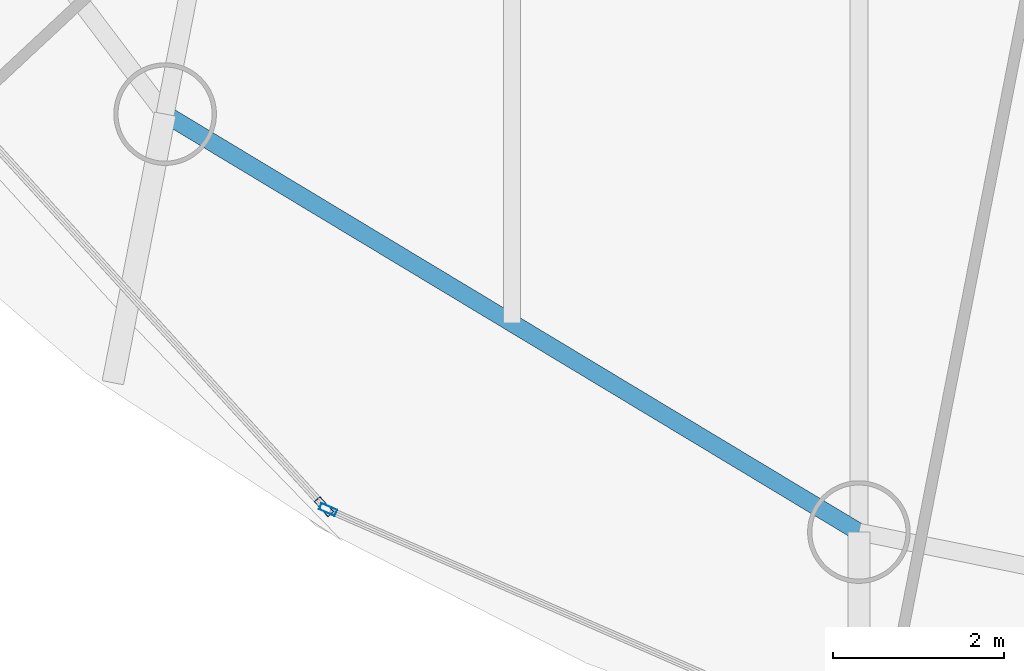
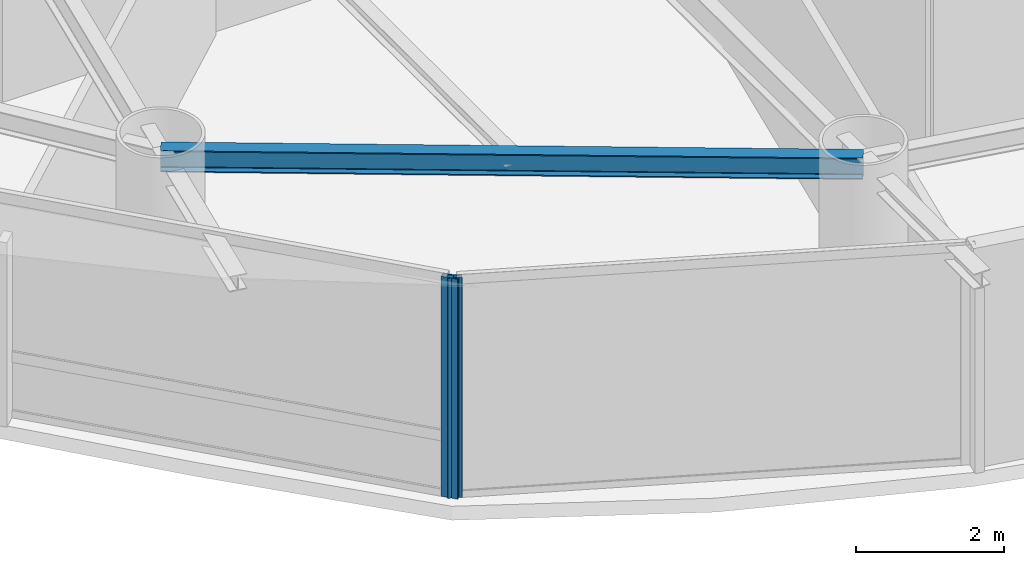
# One storey, part 2 of 22: 2 members, 1 beam, 2 elements without a shape of their own.
"""IFC4 building model written with IfcOpenShell, lengths in metres."""

from ifc_helpers import new_model, si_unit, direction, frame, origin, origin_2d, place, context, subcontext, project, spatial, hollow_rectangle, i_section, extrude, material, layer, layer_set, material_profile, profile_set, type_object, element, aggregate, save


model = new_model("IFC4")

# Units and contexts
model_context = context("Model", 3, precision=1e-05, world=origin(), true_north=direction((0.0, 1.0)))
body_context = subcontext(model_context, "Body", "Model", "MODEL_VIEW")
ifc_project = project(units=[si_unit("LENGTHUNIT", "METRE"), si_unit("AREAUNIT", "SQUARE_METRE"), si_unit("VOLUMEUNIT", "CUBIC_METRE"), si_unit("PLANEANGLEUNIT", "RADIAN"), si_unit("MASSUNIT", "GRAM", prefix="KILO")], contexts=[model_context])

# Site, building, storey
site_placement = place(None, origin())
site = spatial("IfcSite", under=ifc_project, at=site_placement, CompositionType="ELEMENT")
building_placement = place(site_placement, origin())
building = spatial("IfcBuilding", under=site, at=building_placement, Name="Bramvorn Convention Spire", CompositionType="ELEMENT")
storey_placement = place(building_placement, frame((0.0, 0.0, 213.550048828125)))
storey = spatial("IfcBuildingStorey", under=building, at=storey_placement, Name="L54", CompositionType="ELEMENT", Elevation=213.550048828125)

# Beam
ifc_material_1 = material(Name="Steel CSA G40.21 Grade 350 (350W)", Category="steel")
ifc_material_profile_1 = material_profile(ifc_material_1, i_section(OverallWidth=0.205078125, OverallDepth=0.35400390625, WebThickness=0.009521484375, FlangeThickness=0.016845703125, FilletRadius=0.014892578125, at=origin_2d()))
ifc_profile_set_1 = profile_set([ifc_material_profile_1], Name="Steel CSA G40.21 Grade 350 (350W) - W360X79")
beam_type = type_object("IfcBeamType", Name="BM-W360X79", PredefinedType="JOIST", material=ifc_profile_set_1)
beam_placement = place(storey_placement, frame((25.498046875, 12.114990234375, 3.44287109375), z_axis=(0.856581795745, -0.516011266543, 0.0), x_axis=(0.516011266543, 0.856581795745, 0.0)))
element("IfcBeam", 1, at=beam_placement, inside=storey, type_object=beam_type, Name="L54 mega-column ring beam 13", PredefinedType="JOIST", context=body_context, shape_type="SweptSolid", body=[
    extrude(i_section(OverallWidth=0.205078125, OverallDepth=0.35400390625, WebThickness=0.009521484375, FlangeThickness=0.016845703125, FilletRadius=0.014892578125, at=origin_2d()), origin(), (0.0, 0.0, 1.0), 9.47119140625),
])

# Curtain wall, member
ifc_material_2 = material(Name="Anodised Bronze Unitised Curtain Wall", Category="aluminium")
ifc_layer_1 = layer(ifc_material_2, 0.179931640625)
ifc_layer_set_1 = layer_set([ifc_layer_1], Name="Anodised Bronze Unitised Curtain Wall - CW-OFF-FRIT")
curtain_wall_type_1 = type_object("IfcCurtainWallType", Name="CW-OFF-FRIT", PredefinedType="USERDEFINED", material=ifc_layer_set_1)
curtain_wall_1_placement = place(storey_placement, origin())
curtain_wall_1 = element("IfcCurtainWall", 2, at=curtain_wall_1_placement, inside=storey, type_object=curtain_wall_type_1, Name="L54 fritted glass curtain wall 20", ObjectType="UNITISED CURTAIN WALL", PredefinedType="USERDEFINED")
ifc_material_3 = material(Name="Anodised Bronze Aluminium 6063-T6", Category="aluminium")
ifc_material_profile_2 = material_profile(ifc_material_3, hollow_rectangle(XDim=0.080078125, YDim=0.199951171875, WallThickness=0.00390625, InnerFilletRadius=0.0009765625, OuterFilletRadius=0.00390625, at=origin_2d()))
ifc_profile_set_2 = profile_set([ifc_material_profile_2], Name="Anodised Bronze Aluminium 6063-T6 - CWM80X200")
member_type_1 = type_object("IfcMemberType", Name="CW-MUL-180", PredefinedType="MULLION", material=ifc_profile_set_2)
member_1_placement = place(storey_placement, frame((27.4033203125, 7.489990234375, 0.0), z_axis=(0.0, 0.0, 1.0), x_axis=(-0.400501112446, -0.916296272463, 0.0)))
member_1 = element("IfcMember", 3, at=member_1_placement, type_object=member_type_1, Name="CW3 mullion 2", PredefinedType="MULLION", context=body_context, shape_type="SweptSolid", body=[
    extrude(hollow_rectangle(XDim=0.080078125, YDim=0.199951171875, WallThickness=0.00390625, InnerFilletRadius=0.0009765625, OuterFilletRadius=0.00390625, at=origin_2d()), origin(), (0.0, 0.0, 1.0), 3.619873046875),
])
aggregate(curtain_wall_1, [member_1])

ifc_layer_2 = layer(ifc_material_2, 0.219970703125)
ifc_layer_set_2 = layer_set([ifc_layer_2], Name="Anodised Bronze Unitised Curtain Wall - CW-SKYGARDEN")
curtain_wall_type_2 = type_object("IfcCurtainWallType", Name="CW-SKYGARDEN", PredefinedType="USERDEFINED", material=ifc_layer_set_2)
curtain_wall_2_placement = place(storey_placement, origin())
curtain_wall_2 = element("IfcCurtainWall", 4, at=curtain_wall_2_placement, inside=storey, type_object=curtain_wall_type_2, Name="L54 Sky Garden glazed facade 19", ObjectType="WINTER GARDEN GLAZING", PredefinedType="USERDEFINED")
ifc_material_profile_3 = material_profile(ifc_material_3, hollow_rectangle(XDim=0.090087890625, YDim=0.239990234375, WallThickness=0.00439453125, InnerFilletRadius=0.0009765625, OuterFilletRadius=0.00439453125, at=origin_2d()))
ifc_profile_set_3 = profile_set([ifc_material_profile_3], Name="Anodised Bronze Aluminium 6063-T6 - CWM90X240")
member_type_2 = type_object("IfcMemberType", Name="CW-MUL-220", PredefinedType="MULLION", material=ifc_profile_set_3)
member_2_placement = place(storey_placement, frame((27.355712890625, 7.524169921875, 0.0), z_axis=(0.0, 0.0, 1.0), x_axis=(-0.739419854956, -0.673244590099, 0.0)))
member_2 = element("IfcMember", 5, at=member_2_placement, type_object=member_type_2, Name="CW4 mullion 1", PredefinedType="MULLION", context=body_context, shape_type="SweptSolid", body=[
    extrude(hollow_rectangle(XDim=0.090087890625, YDim=0.239990234375, WallThickness=0.00439453125, InnerFilletRadius=0.0009765625, OuterFilletRadius=0.00439453125, at=origin_2d()), origin(), (0.0, 0.0, 1.0), 3.619873046875),
])
aggregate(curtain_wall_2, [member_2])

save(model, "model.ifc")
